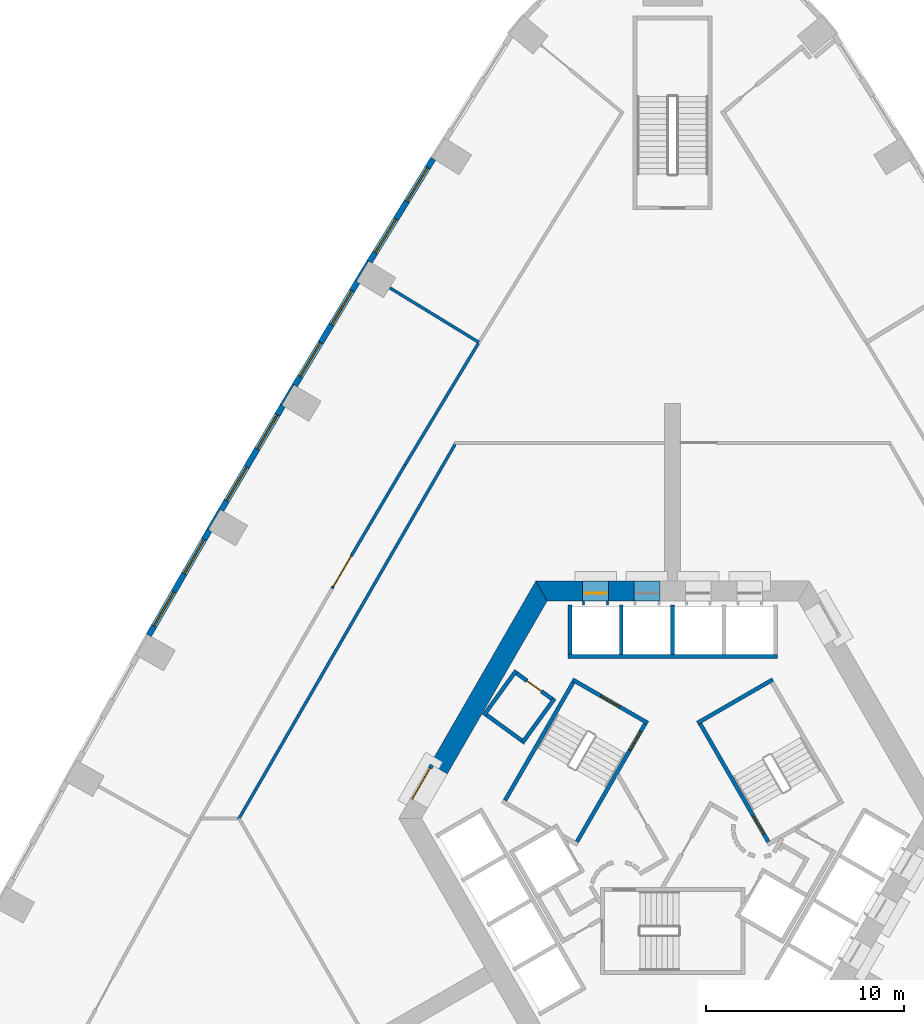
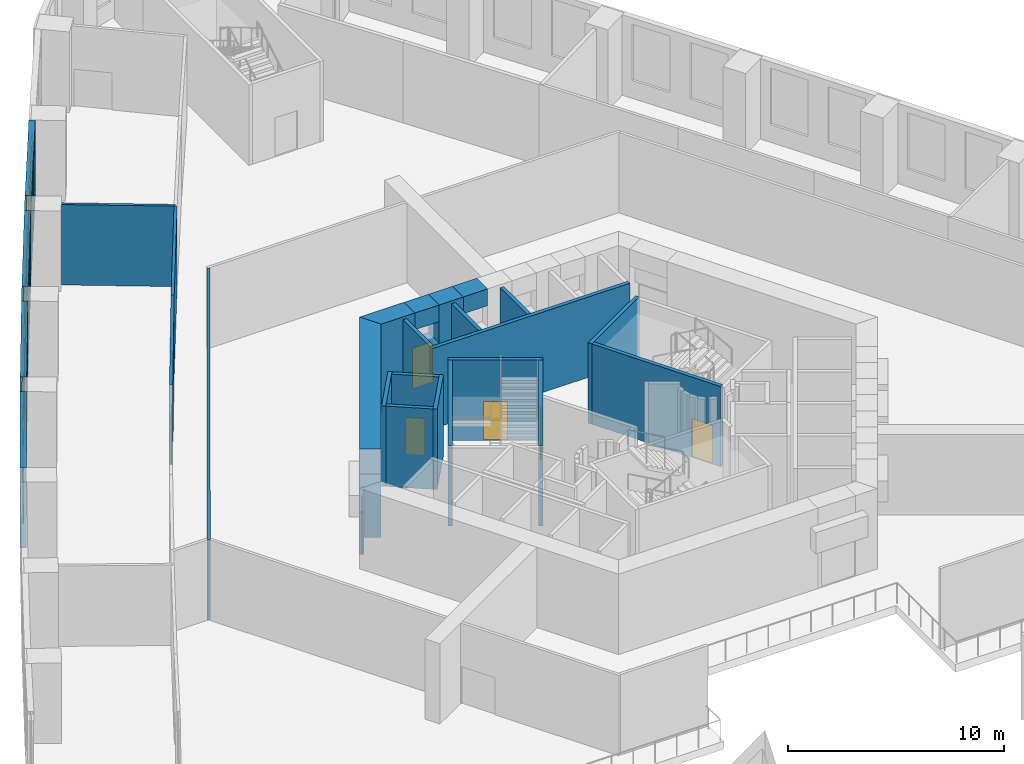
# One storey, part 5 of 16: 31 walls, 8 windows, 7 doors, 15 openings.
"""IFC4 building model written with IfcOpenShell, lengths in metres."""

from ifc_helpers import new_model, si_unit, direction, frame, frame_2d, origin, place, context, subcontext, project, spatial, polyline, rectangle, outline, extrude, material, layer, layer_set, type_object, element, fill, save


model = new_model("IFC4")

# Units and contexts
model_context = context("Model", 3, precision=1e-05, world=origin(), true_north=direction((0.0, 1.0)))
body_context = subcontext(model_context, "Body", "Model", "MODEL_VIEW")
ifc_project = project(units=[si_unit("LENGTHUNIT", "METRE"), si_unit("AREAUNIT", "SQUARE_METRE"), si_unit("VOLUMEUNIT", "CUBIC_METRE"), si_unit("PLANEANGLEUNIT", "RADIAN"), si_unit("MASSUNIT", "GRAM", prefix="KILO")], contexts=[model_context])

# Site, building, storey
site_placement = place(None, origin())
site = spatial("IfcSite", under=ifc_project, at=site_placement, CompositionType="ELEMENT")
building_placement = place(site_placement, origin())
building = spatial("IfcBuilding", under=site, at=building_placement, Name="Entoto Arch Interchange Tower", CompositionType="ELEMENT")
storey_placement = place(building_placement, frame((0.0, 0.0, 20.0)))
storey = spatial("IfcBuildingStorey", under=building, at=storey_placement, Name="L03", CompositionType="ELEMENT", Elevation=20.0)

# Wall, opening, door
ifc_material_1 = material(Name="Reinforced concrete C40/50", Category="concrete")
ifc_layer_1 = layer(ifc_material_1, 0.199951171875)
ifc_layer_set_1 = layer_set([ifc_layer_1], Name="Reinforced concrete C40/50")
wall_type_1 = type_object("IfcWallType", Name="CORE GAP INFILL WALL", PredefinedType="PARTITIONING", material=ifc_layer_set_1)
wall_1_placement = place(storey_placement, frame((-12.179931640625, 5.201904296875, 0.0), z_axis=(0.0, 0.0, 1.0), x_axis=(-0.50002537861, -0.866010750942, 0.0)))
wall_1 = element("IfcWall", 1, at=wall_1_placement, inside=storey, type_object=wall_type_1, Name="wall:L03:gap3", PredefinedType="PARTITIONING", context=body_context, shape_type="SweptSolid", body=[
    extrude(rectangle(XDim=2.0, YDim=0.199951171875, at=frame_2d((1.0, 0.0))), origin(), (0.0, 0.0, 1.0), 2.39990234375),
])
opening_1_placement = place(wall_1_placement, frame((0.18994140625, 0.0, 0.0)))
opening_1 = element("IfcOpeningElement", 2, at=opening_1_placement, cuts=wall_1, Name="Opening L03-D93", PredefinedType="OPENING", context=body_context, shape_type="SweptSolid", body=[
    extrude(rectangle(XDim=1.800048828125, YDim=2.10009765625, at=frame_2d((0.89990234375, 1.050048828125))), frame((0.0, 0.10986328125, 0.0), z_axis=(0.0, -1.0, 0.0), x_axis=(1.0, 0.0, 0.0)), (0.0, 0.0, 1.0), 0.219970703125),
])
ifc_material_2 = material(Name="Fire-rated Steel S235 door and frame", Category="steel")
door_type_1 = type_object("IfcDoorType", Name="DOOR FD-18 1800x2100", OperationType="DOUBLE_DOOR_SINGLE_SWING", PredefinedType="DOOR", material=ifc_material_2)
door_1_placement = place(opening_1_placement, origin())
door_1 = element("IfcDoor", 3, at=door_1_placement, inside=storey, type_object=door_type_1, Name="door:L03:gap3", OperationType="DOUBLE_DOOR_SINGLE_SWING", OverallHeight=2.10009765625, OverallWidth=1.800048828125, PredefinedType="DOOR", context=body_context, shape_type="SweptSolid", body=[
    extrude(rectangle(XDim=1.800048828125, YDim=2.10009765625, at=frame_2d((0.89990234375, 1.050048828125))), frame((0.0, 0.02490234375, 0.0), z_axis=(0.0, -1.0, 0.0), x_axis=(1.0, 0.0, 0.0)), (0.0, 0.0, 1.0), 0.050048828125),
])
fill(opening_1, door_1)

# Walls
ifc_material_3 = material(Name="Concrete C60/75", Category="concrete")
ifc_layer_2 = layer(ifc_material_3, 1.0)
ifc_layer_set_2 = layer_set([ifc_layer_2], Name="Concrete C60/75")
wall_type_2 = type_object("IfcWallType", Name="Core wall 1000 C60/75", PredefinedType="SHEAR", material=ifc_layer_set_2)
wall_2_placement = place(storey_placement, frame((0.0, 0.0, -0.449951171875)))
element("IfcWall", 4, at=wall_2_placement, inside=storey, type_object=wall_type_2, Name="Core wall N L03", PredefinedType="SHEAR", context=body_context, shape_type="SweptSolid", body=[
    extrude(outline(polyline([(-3.25, 14.5), (-3.25, 13.5), (-1.949951171875, 13.5), (-1.949951171875, 14.5), (-3.25, 14.5)])), origin(), (0.0, 0.0, 1.0), 5.0),
])
wall_3_placement = place(storey_placement, frame((0.0, 0.0, -0.449951171875)))
element("IfcWall", 5, at=wall_3_placement, inside=storey, type_object=wall_type_2, Name="Core wall N L03", PredefinedType="SHEAR", context=body_context, shape_type="SweptSolid", body=[
    extrude(outline(polyline([(-4.550048828125, 13.5), (-4.550048828125, 14.5), (-6.927978515625, 14.5), (-6.35107421875, 13.5), (-4.550048828125, 13.5)])), origin(), (0.0, 0.0, 1.0), 5.0),
])
wall_4_placement = place(storey_placement, frame((0.0, 0.0, 3.60009765625)))
element("IfcWall", 6, at=wall_4_placement, inside=storey, type_object=wall_type_2, Name="Core wall lintel N L03", PredefinedType="SHEAR", context=body_context, shape_type="SweptSolid", body=[
    extrude(outline(polyline([(-1.949951171875, 14.5), (-1.949951171875, 13.5), (-0.64990234375, 13.5), (-0.64990234375, 14.5), (-1.949951171875, 14.5)])), origin(), (0.0, 0.0, 1.0), 0.949951171875),
])
wall_5_placement = place(storey_placement, frame((0.0, 0.0, 3.60009765625)))
element("IfcWall", 7, at=wall_5_placement, inside=storey, type_object=wall_type_2, Name="Core wall lintel N L03", PredefinedType="SHEAR", context=body_context, shape_type="SweptSolid", body=[
    extrude(outline(polyline([(-4.550048828125, 14.5), (-4.550048828125, 13.5), (-3.25, 13.5), (-3.25, 14.5), (-4.550048828125, 14.5)])), origin(), (0.0, 0.0, 1.0), 0.949951171875),
])
wall_6_placement = place(storey_placement, frame((0.0, 0.0, -0.449951171875)))
element("IfcWall", 8, at=wall_6_placement, inside=storey, type_object=wall_type_2, Name="Core wall NW L03", PredefinedType="SHEAR", context=body_context, shape_type="SweptSolid", body=[
    extrude(outline(polyline([(-12.26708984375, 5.251953125), (-11.402099609375, 4.751953125), (-6.35107421875, 13.5), (-6.927978515625, 14.5), (-12.26708984375, 5.251953125)])), origin(), (0.0, 0.0, 1.0), 5.0),
])

# Wall, opening, door
ifc_material_4 = material(Name="Concrete C40/50", Category="concrete")
ifc_layer_3 = layer(ifc_material_4, 1.199951171875)
ifc_layer_set_3 = layer_set([ifc_layer_3], Name="Concrete C40/50")
wall_type_3 = type_object("IfcWallType", Name="LIFT LANDING INFILL WALL", PredefinedType="STANDARD", material=ifc_layer_set_3)
wall_7_placement = place(storey_placement, frame((-3.25, 13.89990234375, 0.0), z_axis=(0.0, 0.0, 1.0), x_axis=(-1.0, 0.0, 0.0)))
wall_7 = element("IfcWall", 9, at=wall_7_placement, inside=storey, type_object=wall_type_3, Name="Lift landing infill wall LR4 L03", PredefinedType="STANDARD", context=body_context, shape_type="SweptSolid", body=[
    extrude(rectangle(XDim=1.300048828125, YDim=1.199951171875, at=frame_2d((0.64990234375, 0.0))), origin(), (0.0, 0.0, 1.0), 2.39990234375),
])
opening_2_placement = place(wall_7_placement, frame((0.10009765625, 0.0, 0.0)))
opening_2 = element("IfcOpeningElement", 10, at=opening_2_placement, cuts=wall_7, Name="Opening LD-LR4-L03", PredefinedType="OPENING", context=body_context, shape_type="SweptSolid", body=[
    extrude(rectangle(XDim=1.10009765625, YDim=2.300048828125, at=frame_2d((0.550048828125, 1.14990234375))), frame((0.0, 0.60986328125, 0.0), z_axis=(0.0, -1.0, 0.0), x_axis=(1.0, 0.0, 0.0)), (0.0, 0.0, 1.0), 1.219970703125),
])
ifc_material_5 = material(Name="Stainless steel 1.4301 panels", Category="steel")
door_type_2 = type_object("IfcDoorType", Name="LIFT LANDING DOOR LD2 1100x2300", OperationType="SLIDING_TO_LEFT", PredefinedType="DOOR", material=ifc_material_5)
door_2_placement = place(opening_2_placement, origin())
door_2 = element("IfcDoor", 11, at=door_2_placement, inside=storey, type_object=door_type_2, Name="Lift landing door LR4 L03", OperationType="SLIDING_TO_LEFT", OverallHeight=2.300048828125, OverallWidth=1.10009765625, PredefinedType="DOOR", context=body_context, shape_type="SweptSolid", body=[
    extrude(rectangle(XDim=1.10009765625, YDim=2.300048828125, at=frame_2d((0.550048828125, 1.14990234375))), frame((0.0, 0.02490234375, 0.0), z_axis=(0.0, -1.0, 0.0), x_axis=(1.0, 0.0, 0.0)), (0.0, 0.0, 1.0), 0.050048828125),
])
fill(opening_2, door_2)

# Walls
ifc_layer_4 = layer(ifc_material_4, 0.199951171875)
ifc_layer_set_4 = layer_set([ifc_layer_4], Name="Concrete C40/50")
wall_type_4 = type_object("IfcWallType", Name="LIFT SHAFT WALL 200", PredefinedType="STANDARD", material=ifc_layer_set_4)
wall_8_placement = place(storey_placement, frame((5.300048828125, 10.699951171875, 0.0), z_axis=(0.0, 0.0, 1.0), x_axis=(-1.0, 0.0, 0.0)))
element("IfcWall", 12, at=wall_8_placement, inside=storey, type_object=wall_type_4, Name="Shaft wall N3 front", PredefinedType="STANDARD", context=body_context, shape_type="SweptSolid", body=[
    extrude(rectangle(XDim=10.60009765625, YDim=0.199951171875, at=frame_2d((5.300048828125, 0.0))), origin(), (0.0, 0.0, 1.0), 4.550048828125),
])
for number, where, z_axis, x_axis, name in (
    (13, (0.0, 10.800048828125, 0.0), (0.0, 0.0, 1.0), (0.0, 1.0, 0.0), "Shaft wall N3 cross 3"),
    (14, (-2.60009765625, 10.800048828125, 0.0), (0.0, 0.0, 1.0), (0.0, 1.0, 0.0), "Shaft wall N3 cross 4"),
    (15, (-5.199951171875, 10.800048828125, 0.0), (0.0, 0.0, 1.0), (0.0, 1.0, 0.0), "Shaft wall N3 cross 5"),
):
    element("IfcWall", number, at=place(storey_placement, frame(where, z_axis=z_axis, x_axis=x_axis)), inside=storey, type_object=wall_type_4, Name=name, PredefinedType="STANDARD", context=body_context, shape_type="SweptSolid", body=[
        extrude(rectangle(XDim=2.5, YDim=0.199951171875, at=frame_2d((1.25, 0.0))), origin(), (0.0, 0.0, 1.0), 4.550048828125),
    ])
ifc_material_6 = material(Name="Gypsum board partition on steel studs", Category="steel")
ifc_layer_5 = layer(ifc_material_6, 0.14990234375)
ifc_layer_set_5 = layer_set([ifc_layer_5], Name="Gypsum board partition on steel studs")
wall_type_5 = type_object("IfcWallType", Name="PARTITION 150", PredefinedType="PARTITIONING", material=ifc_layer_set_5)
wall_9_placement = place(storey_placement, frame((-9.801025390625, 26.5869140625, 0.0), z_axis=(0.0, 0.0, 1.0), x_axis=(-0.853133190526, 0.521693165781, 0.0)))
element("IfcWall", 16, at=wall_9_placement, inside=storey, type_object=wall_type_5, Name="wall:L03:p056", PredefinedType="PARTITIONING", context=body_context, shape_type="SweptSolid", body=[
    extrude(rectangle(XDim=5.279296875, YDim=0.14990234375, at=frame_2d((2.6396484375, 0.0))), origin(), (0.0, 0.0, 1.0), 4.550048828125),
])
wall_10_placement = place(storey_placement, frame((-9.8359375, 26.529052734375, 0.0), z_axis=(0.0, 0.0, 1.0), x_axis=(-0.516524835149, -0.856272208281, 0.0)))
element("IfcWall", 17, at=wall_10_placement, inside=storey, type_object=wall_type_5, Name="wall:L03:p061", PredefinedType="PARTITIONING", context=body_context, shape_type="SweptSolid", body=[
    extrude(rectangle(XDim=7.1787109375, YDim=0.14990234375, at=frame_2d((3.58935546875, 0.0))), origin(), (0.0, 0.0, 1.0), 4.550048828125),
])

# Wall, opening, door
wall_11_placement = place(storey_placement, frame((-13.5439453125, 20.382080078125, 0.0), z_axis=(0.0, 0.0, 1.0), x_axis=(-0.508434454558, -0.861100694122, 0.0)))
wall_11 = element("IfcWall", 18, at=wall_11_placement, inside=storey, type_object=wall_type_5, Name="wall:L03:p062", PredefinedType="PARTITIONING", context=body_context, shape_type="SweptSolid", body=[
    extrude(rectangle(XDim=7.253662109375, YDim=0.14990234375, at=frame_2d((3.626953125, 0.0))), origin(), (0.0, 0.0, 1.0), 4.550048828125),
])
opening_3_placement = place(wall_11_placement, frame((5.35400390625, 0.0, 0.0)))
opening_3 = element("IfcOpeningElement", 19, at=opening_3_placement, cuts=wall_11, Name="Opening L03-D10", PredefinedType="OPENING", context=body_context, shape_type="SweptSolid", body=[
    extrude(rectangle(XDim=1.800048828125, YDim=2.10009765625, at=frame_2d((0.89990234375, 1.050048828125))), frame((0.0, 0.0849609375, 0.0), z_axis=(0.0, -1.0, 0.0), x_axis=(1.0, 0.0, 0.0)), (0.0, 0.0, 1.0), 0.169921875),
])
ifc_material_7 = material(Name="Timber door leaf in Steel S235 frame", Category="steel")
door_type_3 = type_object("IfcDoorType", Name="DOOR DD-18 1800x2100", OperationType="DOUBLE_DOOR_SINGLE_SWING", PredefinedType="DOOR", material=ifc_material_7)
door_3_placement = place(opening_3_placement, origin())
door_3 = element("IfcDoor", 20, at=door_3_placement, inside=storey, type_object=door_type_3, Name="door:L03:10", OperationType="DOUBLE_DOOR_SINGLE_SWING", OverallHeight=2.10009765625, OverallWidth=1.800048828125, PredefinedType="DOOR", context=body_context, shape_type="SweptSolid", body=[
    extrude(rectangle(XDim=1.800048828125, YDim=2.10009765625, at=frame_2d((0.89990234375, 1.050048828125))), frame((0.0, 0.02490234375, 0.0), z_axis=(0.0, -1.0, 0.0), x_axis=(1.0, 0.0, 0.0)), (0.0, 0.0, 1.0), 0.050048828125),
])
fill(opening_3, door_3)

# Walls
wall_12_placement = place(storey_placement, frame((-21.97607421875, 2.43505859375, 0.0), z_axis=(0.0, 0.0, 1.0), x_axis=(0.499977403953, 0.866038449225, 0.0)))
element("IfcWall", 21, at=wall_12_placement, inside=storey, type_object=wall_type_5, Name="wall:L03:p073", PredefinedType="PARTITIONING", context=body_context, shape_type="SweptSolid", body=[
    extrude(rectangle(XDim=21.93896484375, YDim=0.14990234375, at=frame_2d((10.969482421875, 0.0))), origin(), (0.0, 0.0, 1.0), 4.550048828125),
])
ifc_layer_6 = layer(ifc_material_6, 0.199951171875)
ifc_layer_set_6 = layer_set([ifc_layer_6], Name="Gypsum board partition on steel studs")
wall_type_6 = type_object("IfcWallType", Name="PARTITION 200", PredefinedType="PARTITIONING", material=ifc_layer_set_6)
wall_13_placement = place(storey_placement, frame((-7.9150390625, 9.98095703125, 0.0), z_axis=(0.0, 0.0, 1.0), x_axis=(-0.587497525331, -0.809225962096, 0.0)))
element("IfcWall", 22, at=wall_13_placement, inside=storey, type_object=wall_type_6, Name="wall:L03:p012", PredefinedType="PARTITIONING", context=body_context, shape_type="SweptSolid", body=[
    extrude(rectangle(XDim=2.800048828125, YDim=0.199951171875, at=frame_2d((1.39990234375, 0.0))), origin(), (0.0, 0.0, 1.0), 4.550048828125),
])
wall_14_placement = place(storey_placement, frame((-9.4208984375, 7.738037109375, 0.0), z_axis=(0.0, 0.0, 1.0), x_axis=(0.808832031072, -0.588039748242, 0.0)))
element("IfcWall", 23, at=wall_14_placement, inside=storey, type_object=wall_type_6, Name="wall:L03:p013", PredefinedType="PARTITIONING", context=body_context, shape_type="SweptSolid", body=[
    extrude(rectangle(XDim=2.200439453125, YDim=0.199951171875, at=frame_2d((1.10009765625, 0.0))), origin(), (0.0, 0.0, 1.0), 4.550048828125),
])
wall_15_placement = place(storey_placement, frame((-7.618896484375, 6.304931640625, 0.0), z_axis=(0.0, 0.0, 1.0), x_axis=(0.58785021813, 0.808969789945, 0.0)))
element("IfcWall", 24, at=wall_15_placement, inside=storey, type_object=wall_type_6, Name="wall:L03:p014", PredefinedType="PARTITIONING", context=body_context, shape_type="SweptSolid", body=[
    extrude(rectangle(XDim=2.800048828125, YDim=0.199951171875, at=frame_2d((1.39990234375, 0.0))), origin(), (0.0, 0.0, 1.0), 4.550048828125),
])

# Wall, opening, door
wall_16_placement = place(storey_placement, frame((-6.113037109375, 8.548095703125, 0.0), z_axis=(0.0, 0.0, 1.0), x_axis=(-0.808928058073, 0.587907643139, 0.0)))
wall_16 = element("IfcWall", 25, at=wall_16_placement, inside=storey, type_object=wall_type_6, Name="wall:L03:p015", PredefinedType="PARTITIONING", context=body_context, shape_type="SweptSolid", body=[
    extrude(rectangle(XDim=2.19921875, YDim=0.199951171875, at=frame_2d((1.099609375, 0.0))), origin(), (0.0, 0.0, 1.0), 4.550048828125),
])
opening_4_placement = place(wall_16_placement, frame((0.64990234375, 0.0, 0.0)))
opening_4 = element("IfcOpeningElement", 26, at=opening_4_placement, cuts=wall_16, Name="Opening L03-D16", PredefinedType="OPENING", context=body_context, shape_type="SweptSolid", body=[
    extrude(rectangle(XDim=0.89990234375, YDim=2.10009765625, at=frame_2d((0.449951171875, 1.050048828125))), frame((0.0, 0.10986328125, 0.0), z_axis=(0.0, -1.0, 0.0), x_axis=(1.0, 0.0, 0.0)), (0.0, 0.0, 1.0), 0.219970703125),
])
door_type_4 = type_object("IfcDoorType", Name="DOOR DS-09 900x2100", OperationType="SINGLE_SWING_LEFT", PredefinedType="DOOR", material=ifc_material_7)
door_4_placement = place(opening_4_placement, origin())
door_4 = element("IfcDoor", 27, at=door_4_placement, inside=storey, type_object=door_type_4, Name="door:L03:16", OperationType="SINGLE_SWING_LEFT", OverallHeight=2.10009765625, OverallWidth=0.89990234375, PredefinedType="DOOR", context=body_context, shape_type="SweptSolid", body=[
    extrude(rectangle(XDim=0.89990234375, YDim=2.10009765625, at=frame_2d((0.449951171875, 1.050048828125))), frame((0.0, 0.02490234375, 0.0), z_axis=(0.0, -1.0, 0.0), x_axis=(1.0, 0.0, 0.0)), (0.0, 0.0, 1.0), 0.050048828125),
])
fill(opening_4, door_4)

# Wall
ifc_layer_7 = layer(ifc_material_4, 0.199951171875)
ifc_layer_set_7 = layer_set([ifc_layer_7], Name="Concrete C40/50")
wall_type_7 = type_object("IfcWallType", Name="STAIR ENCLOSURE WALL 200", PredefinedType="STANDARD", material=ifc_layer_set_7)
wall_17_placement = place(storey_placement, frame((1.256103515625, 7.323974609375, 0.0), z_axis=(0.0, 0.0, 1.0), x_axis=(0.866046073146, 0.499964197906, 0.0)))
element("IfcWall", 28, at=wall_17_placement, inside=storey, type_object=wall_type_7, Name="Stair wall ST-NE far", PredefinedType="STANDARD", context=body_context, shape_type="SweptSolid", body=[
    extrude(rectangle(XDim=4.400146484375, YDim=0.199951171875, at=frame_2d((2.2001953125, 0.0))), origin(), (0.0, 0.0, 1.0), 4.550048828125),
])

# Wall, opening, door
wall_18_placement = place(storey_placement, frame((4.843017578125, 1.31201171875, 0.0), z_axis=(0.0, 0.0, 1.0), x_axis=(-0.499963383562, 0.866046543262, 0.0)))
wall_18 = element("IfcWall", 29, at=wall_18_placement, inside=storey, type_object=wall_type_7, Name="Stair wall ST-NE hall", PredefinedType="STANDARD", context=body_context, shape_type="SweptSolid", body=[
    extrude(rectangle(XDim=6.900390625, YDim=0.199951171875, at=frame_2d((3.4501953125, 0.0))), origin(), (0.0, 0.0, 1.0), 4.550048828125),
])
opening_5_placement = place(wall_18_placement, frame((0.449951171875, 0.0, 0.0)))
opening_5 = element("IfcOpeningElement", 30, at=opening_5_placement, cuts=wall_18, Name="Opening SD-ST-NE-L03", PredefinedType="OPENING", context=body_context, shape_type="SweptSolid", body=[
    extrude(rectangle(XDim=1.10009765625, YDim=2.199951171875, at=frame_2d((0.550048828125, 1.10009765625))), frame((0.0, 0.10986328125, 0.0), z_axis=(0.0, -1.0, 0.0), x_axis=(1.0, 0.0, 0.0)), (0.0, 0.0, 1.0), 0.219970703125),
])
ifc_material_8 = material(Name="Steel S235", Category="steel")
door_type_5 = type_object("IfcDoorType", Name="STAIR DOOR SD1 1100x2200", OperationType="SINGLE_SWING_LEFT", PredefinedType="DOOR", material=ifc_material_8)
door_5_placement = place(opening_5_placement, origin())
door_5 = element("IfcDoor", 31, at=door_5_placement, inside=storey, type_object=door_type_5, Name="Stair door ST-NE L03", OperationType="SINGLE_SWING_LEFT", OverallHeight=2.199951171875, OverallWidth=1.10009765625, PredefinedType="DOOR", context=body_context, shape_type="SweptSolid", body=[
    extrude(rectangle(XDim=1.10009765625, YDim=2.199951171875, at=frame_2d((0.550048828125, 1.10009765625))), frame((0.0, 0.02490234375, 0.0), z_axis=(0.0, -1.0, 0.0), x_axis=(1.0, 0.0, 0.0)), (0.0, 0.0, 1.0), 0.050048828125),
])
fill(opening_5, door_5)

wall_19_placement = place(storey_placement, frame((-1.256103515625, 7.323974609375, 0.0), z_axis=(0.0, 0.0, 1.0), x_axis=(-0.866046073146, 0.499964197906, 0.0)))
wall_19 = element("IfcWall", 32, at=wall_19_placement, inside=storey, type_object=wall_type_7, Name="Stair wall ST-NW near", PredefinedType="STANDARD", context=body_context, shape_type="SweptSolid", body=[
    extrude(rectangle(XDim=4.400146484375, YDim=0.199951171875, at=frame_2d((2.2001953125, 0.0))), origin(), (0.0, 0.0, 1.0), 4.550048828125),
])
opening_6_placement = place(wall_19_placement, frame((1.64990234375, 0.0, 0.0)))
opening_6 = element("IfcOpeningElement", 33, at=opening_6_placement, cuts=wall_19, Name="Opening SD-ST-NW-L03-E", PredefinedType="OPENING", context=body_context, shape_type="SweptSolid", body=[
    extrude(rectangle(XDim=1.10009765625, YDim=2.199951171875, at=frame_2d((0.550048828125, 1.10009765625))), frame((0.0, 0.10986328125, 0.0), z_axis=(0.0, -1.0, 0.0), x_axis=(1.0, 0.0, 0.0)), (0.0, 0.0, 1.0), 0.219970703125),
])
door_6_placement = place(opening_6_placement, origin())
door_6 = element("IfcDoor", 34, at=door_6_placement, inside=storey, type_object=door_type_5, Name="Stair door ST-NW L03 end", OperationType="SINGLE_SWING_LEFT", OverallHeight=2.199951171875, OverallWidth=1.10009765625, PredefinedType="DOOR", context=body_context, shape_type="SweptSolid", body=[
    extrude(rectangle(XDim=1.10009765625, YDim=2.199951171875, at=frame_2d((0.550048828125, 1.10009765625))), frame((0.0, 0.02490234375, 0.0), z_axis=(0.0, -1.0, 0.0), x_axis=(1.0, 0.0, 0.0)), (0.0, 0.0, 1.0), 0.050048828125),
])
fill(opening_6, door_6)

wall_20_placement = place(storey_placement, frame((-1.39306640625, 7.2880859375, 0.0), z_axis=(0.0, 0.0, 1.0), x_axis=(-0.499963383562, -0.866046543262, 0.0)))
wall_20 = element("IfcWall", 35, at=wall_20_placement, inside=storey, type_object=wall_type_7, Name="Stair wall ST-NW hall", PredefinedType="STANDARD", context=body_context, shape_type="SweptSolid", body=[
    extrude(rectangle(XDim=6.900390625, YDim=0.199951171875, at=frame_2d((3.4501953125, 0.0))), origin(), (0.0, 0.0, 1.0), 4.550048828125),
])
opening_7_placement = place(wall_20_placement, frame((0.449951171875, 0.0, 0.0)))
opening_7 = element("IfcOpeningElement", 36, at=opening_7_placement, cuts=wall_20, Name="Opening SD-ST-NW-L03", PredefinedType="OPENING", context=body_context, shape_type="SweptSolid", body=[
    extrude(rectangle(XDim=1.10009765625, YDim=2.199951171875, at=frame_2d((0.550048828125, 1.10009765625))), frame((0.0, 0.10986328125, 0.0), z_axis=(0.0, -1.0, 0.0), x_axis=(1.0, 0.0, 0.0)), (0.0, 0.0, 1.0), 0.219970703125),
])
door_7_placement = place(opening_7_placement, origin())
door_7 = element("IfcDoor", 37, at=door_7_placement, inside=storey, type_object=door_type_5, Name="Stair door ST-NW L03", OperationType="SINGLE_SWING_LEFT", OverallHeight=2.199951171875, OverallWidth=1.10009765625, PredefinedType="DOOR", context=body_context, shape_type="SweptSolid", body=[
    extrude(rectangle(XDim=1.10009765625, YDim=2.199951171875, at=frame_2d((0.550048828125, 1.10009765625))), frame((0.0, 0.02490234375, 0.0), z_axis=(0.0, -1.0, 0.0), x_axis=(1.0, 0.0, 0.0)), (0.0, 0.0, 1.0), 0.050048828125),
])
fill(opening_7, door_7)

# Wall
wall_21_placement = place(storey_placement, frame((-5.030029296875, 9.387939453125, 0.0), z_axis=(0.0, 0.0, 1.0), x_axis=(-0.499978703459, -0.866037698999, 0.0)))
element("IfcWall", 38, at=wall_21_placement, inside=storey, type_object=wall_type_7, Name="Stair wall ST-NW back", PredefinedType="STANDARD", context=body_context, shape_type="SweptSolid", body=[
    extrude(rectangle(XDim=6.900146484375, YDim=0.199951171875, at=frame_2d((3.4501953125, 0.0))), origin(), (0.0, 0.0, 1.0), 4.550048828125),
])

# Wall, openings, windows
ifc_material_9 = material(Name="Welded tuff (ignimbrite) cladding, warm buff", Category="masonry")
ifc_layer_8 = layer(ifc_material_9, 0.300048828125)
ifc_layer_set_8 = layer_set([ifc_layer_8], Name="Welded tuff (ignimbrite) cladding, warm buff")
wall_type_8 = type_object("IfcWallType", Name="STONE INFILL WALL 300", PredefinedType="STANDARD", material=ifc_layer_set_8)
wall_22_placement = place(storey_placement, frame((-12.116943359375, 35.881103515625, 0.0), z_axis=(0.0, 0.0, 1.0), x_axis=(-0.524953701886, -0.85113078365, 0.0)))
wall_22 = element("IfcWall", 39, at=wall_22_placement, inside=storey, type_object=wall_type_8, Name="Facade wall NW-02 L03", PredefinedType="STANDARD", context=body_context, shape_type="SweptSolid", body=[
    extrude(rectangle(XDim=6.12255859375, YDim=0.300048828125, at=frame_2d((3.061279296875, 0.0))), origin(), (0.0, 0.0, 1.0), 4.550048828125),
])
opening_8_placement = place(wall_22_placement, frame((0.531005859375, 0.0, 1.0)))
opening_8 = element("IfcOpeningElement", 40, at=opening_8_placement, cuts=wall_22, Name="Opening WP-E", PredefinedType="OPENING", context=body_context, shape_type="SweptSolid", body=[
    extrude(rectangle(XDim=2.0, YDim=3.199951171875, at=frame_2d((1.0, 1.60009765625))), frame((0.0, 0.16015625, 0.0), z_axis=(0.0, -1.0, 0.0), x_axis=(1.0, 0.0, 0.0)), (0.0, 0.0, 1.0), 0.320068359375),
])
opening_9_placement = place(wall_22_placement, frame((3.592041015625, 0.0, 1.0)))
opening_9 = element("IfcOpeningElement", 41, at=opening_9_placement, cuts=wall_22, Name="Opening WP-E", PredefinedType="OPENING", context=body_context, shape_type="SweptSolid", body=[
    extrude(rectangle(XDim=2.0, YDim=3.199951171875, at=frame_2d((1.0, 1.60009765625))), frame((0.0, 0.16015625, 0.0), z_axis=(0.0, -1.0, 0.0), x_axis=(1.0, 0.0, 0.0)), (0.0, 0.0, 1.0), 0.320068359375),
])
ifc_material_10 = material(Name="Clear glass, low-e double glazed", Category="glass")
window_type = type_object("IfcWindowType", Name="WINDOW WP-E 2000x3200", PartitioningType="DOUBLE_PANEL_VERTICAL", PredefinedType="WINDOW", material=ifc_material_10)
window_1_placement = place(opening_8_placement, origin())
window_1 = element("IfcWindow", 42, at=window_1_placement, inside=storey, type_object=window_type, Name="Window WP-E NW-02 L03", OverallHeight=3.199951171875, OverallWidth=2.0, PartitioningType="SINGLE_PANEL", PredefinedType="WINDOW", context=body_context, shape_type="SweptSolid", body=[
    extrude(rectangle(XDim=2.0, YDim=3.199951171875, at=frame_2d((1.0, 1.60009765625))), frame((0.0, 0.030029296875, 0.0), z_axis=(0.0, -1.0, 0.0), x_axis=(1.0, 0.0, 0.0)), (0.0, 0.0, 1.0), 0.06005859375),
])
fill(opening_8, window_1)
window_2_placement = place(opening_9_placement, origin())
window_2 = element("IfcWindow", 43, at=window_2_placement, inside=storey, type_object=window_type, Name="Window WP-E NW-02 L03", OverallHeight=3.199951171875, OverallWidth=2.0, PartitioningType="SINGLE_PANEL", PredefinedType="WINDOW", context=body_context, shape_type="SweptSolid", body=[
    extrude(rectangle(XDim=2.0, YDim=3.199951171875, at=frame_2d((1.0, 1.60009765625))), frame((0.0, 0.030029296875, 0.0), z_axis=(0.0, -1.0, 0.0), x_axis=(1.0, 0.0, 0.0)), (0.0, 0.0, 1.0), 0.06005859375),
])
fill(opening_9, window_2)

wall_23_placement = place(storey_placement, frame((-15.9541015625, 29.64697265625, 0.0), z_axis=(0.0, 0.0, 1.0), x_axis=(-0.516687651362, -0.85617397235, 0.0)))
wall_23 = element("IfcWall", 44, at=wall_23_placement, inside=storey, type_object=wall_type_8, Name="Facade wall NW-03 L03", PredefinedType="STANDARD", context=body_context, shape_type="SweptSolid", body=[
    extrude(rectangle(XDim=6.121337890625, YDim=0.300048828125, at=frame_2d((3.060546875, 0.0))), origin(), (0.0, 0.0, 1.0), 4.550048828125),
])
opening_10_placement = place(wall_23_placement, frame((0.530029296875, 0.0, 1.0)))
opening_10 = element("IfcOpeningElement", 45, at=opening_10_placement, cuts=wall_23, Name="Opening WP-E", PredefinedType="OPENING", context=body_context, shape_type="SweptSolid", body=[
    extrude(rectangle(XDim=2.0, YDim=3.199951171875, at=frame_2d((1.0, 1.60009765625))), frame((0.0, 0.16015625, 0.0), z_axis=(0.0, -1.0, 0.0), x_axis=(1.0, 0.0, 0.0)), (0.0, 0.0, 1.0), 0.320068359375),
])
opening_11_placement = place(wall_23_placement, frame((3.591064453125, 0.0, 1.0)))
opening_11 = element("IfcOpeningElement", 46, at=opening_11_placement, cuts=wall_23, Name="Opening WP-E", PredefinedType="OPENING", context=body_context, shape_type="SweptSolid", body=[
    extrude(rectangle(XDim=2.0, YDim=3.199951171875, at=frame_2d((1.0, 1.60009765625))), frame((0.0, 0.16015625, 0.0), z_axis=(0.0, -1.0, 0.0), x_axis=(1.0, 0.0, 0.0)), (0.0, 0.0, 1.0), 0.320068359375),
])
window_3_placement = place(opening_10_placement, origin())
window_3 = element("IfcWindow", 47, at=window_3_placement, inside=storey, type_object=window_type, Name="Window WP-E NW-03 L03", OverallHeight=3.199951171875, OverallWidth=2.0, PartitioningType="SINGLE_PANEL", PredefinedType="WINDOW", context=body_context, shape_type="SweptSolid", body=[
    extrude(rectangle(XDim=2.0, YDim=3.199951171875, at=frame_2d((1.0, 1.60009765625))), frame((0.0, 0.030029296875, 0.0), z_axis=(0.0, -1.0, 0.0), x_axis=(1.0, 0.0, 0.0)), (0.0, 0.0, 1.0), 0.06005859375),
])
fill(opening_10, window_3)
window_4_placement = place(opening_11_placement, origin())
window_4 = element("IfcWindow", 48, at=window_4_placement, inside=storey, type_object=window_type, Name="Window WP-E NW-03 L03", OverallHeight=3.199951171875, OverallWidth=2.0, PartitioningType="SINGLE_PANEL", PredefinedType="WINDOW", context=body_context, shape_type="SweptSolid", body=[
    extrude(rectangle(XDim=2.0, YDim=3.199951171875, at=frame_2d((1.0, 1.60009765625))), frame((0.0, 0.030029296875, 0.0), z_axis=(0.0, -1.0, 0.0), x_axis=(1.0, 0.0, 0.0)), (0.0, 0.0, 1.0), 0.06005859375),
])
fill(opening_11, window_4)

wall_24_placement = place(storey_placement, frame((-19.73095703125, 23.376953125, 0.0), z_axis=(0.0, 0.0, 1.0), x_axis=(-0.50834231483, -0.861155091115, 0.0)))
wall_24 = element("IfcWall", 49, at=wall_24_placement, inside=storey, type_object=wall_type_8, Name="Facade wall NW-04 L03", PredefinedType="STANDARD", context=body_context, shape_type="SweptSolid", body=[
    extrude(rectangle(XDim=6.1220703125, YDim=0.300048828125, at=frame_2d((3.06103515625, 0.0))), origin(), (0.0, 0.0, 1.0), 4.550048828125),
])
opening_12_placement = place(wall_24_placement, frame((0.530029296875, 0.0, 1.0)))
opening_12 = element("IfcOpeningElement", 50, at=opening_12_placement, cuts=wall_24, Name="Opening WP-E", PredefinedType="OPENING", context=body_context, shape_type="SweptSolid", body=[
    extrude(rectangle(XDim=2.0, YDim=3.199951171875, at=frame_2d((1.0, 1.60009765625))), frame((0.0, 0.16015625, 0.0), z_axis=(0.0, -1.0, 0.0), x_axis=(1.0, 0.0, 0.0)), (0.0, 0.0, 1.0), 0.320068359375),
])
opening_13_placement = place(wall_24_placement, frame((3.591064453125, 0.0, 1.0)))
opening_13 = element("IfcOpeningElement", 51, at=opening_13_placement, cuts=wall_24, Name="Opening WP-E", PredefinedType="OPENING", context=body_context, shape_type="SweptSolid", body=[
    extrude(rectangle(XDim=2.0, YDim=3.199951171875, at=frame_2d((1.0, 1.60009765625))), frame((0.0, 0.16015625, 0.0), z_axis=(0.0, -1.0, 0.0), x_axis=(1.0, 0.0, 0.0)), (0.0, 0.0, 1.0), 0.320068359375),
])
window_5_placement = place(opening_12_placement, origin())
window_5 = element("IfcWindow", 52, at=window_5_placement, inside=storey, type_object=window_type, Name="Window WP-E NW-04 L03", OverallHeight=3.199951171875, OverallWidth=2.0, PartitioningType="SINGLE_PANEL", PredefinedType="WINDOW", context=body_context, shape_type="SweptSolid", body=[
    extrude(rectangle(XDim=2.0, YDim=3.199951171875, at=frame_2d((1.0, 1.60009765625))), frame((0.0, 0.030029296875, 0.0), z_axis=(0.0, -1.0, 0.0), x_axis=(1.0, 0.0, 0.0)), (0.0, 0.0, 1.0), 0.06005859375),
])
fill(opening_12, window_5)
window_6_placement = place(opening_13_placement, origin())
window_6 = element("IfcWindow", 53, at=window_6_placement, inside=storey, type_object=window_type, Name="Window WP-E NW-04 L03", OverallHeight=3.199951171875, OverallWidth=2.0, PartitioningType="SINGLE_PANEL", PredefinedType="WINDOW", context=body_context, shape_type="SweptSolid", body=[
    extrude(rectangle(XDim=2.0, YDim=3.199951171875, at=frame_2d((1.0, 1.60009765625))), frame((0.0, 0.030029296875, 0.0), z_axis=(0.0, -1.0, 0.0), x_axis=(1.0, 0.0, 0.0)), (0.0, 0.0, 1.0), 0.06005859375),
])
fill(opening_13, window_6)

wall_25_placement = place(storey_placement, frame((-23.447021484375, 17.071044921875, 0.0), z_axis=(0.0, 0.0, 1.0), x_axis=(-0.499939977436, -0.866060055055, 0.0)))
wall_25 = element("IfcWall", 54, at=wall_25_placement, inside=storey, type_object=wall_type_8, Name="Facade wall NW-05 L03", PredefinedType="STANDARD", context=body_context, shape_type="SweptSolid", body=[
    extrude(rectangle(XDim=6.120849609375, YDim=0.300048828125, at=frame_2d((3.060546875, 0.0))), origin(), (0.0, 0.0, 1.0), 4.550048828125),
])
opening_14_placement = place(wall_25_placement, frame((0.530029296875, 0.0, 1.0)))
opening_14 = element("IfcOpeningElement", 55, at=opening_14_placement, cuts=wall_25, Name="Opening WP-E", PredefinedType="OPENING", context=body_context, shape_type="SweptSolid", body=[
    extrude(rectangle(XDim=2.0, YDim=3.199951171875, at=frame_2d((1.0, 1.60009765625))), frame((0.0, 0.16015625, 0.0), z_axis=(0.0, -1.0, 0.0), x_axis=(1.0, 0.0, 0.0)), (0.0, 0.0, 1.0), 0.320068359375),
])
opening_15_placement = place(wall_25_placement, frame((3.591064453125, 0.0, 1.0)))
opening_15 = element("IfcOpeningElement", 56, at=opening_15_placement, cuts=wall_25, Name="Opening WP-E", PredefinedType="OPENING", context=body_context, shape_type="SweptSolid", body=[
    extrude(rectangle(XDim=2.0, YDim=3.199951171875, at=frame_2d((1.0, 1.60009765625))), frame((0.0, 0.16015625, 0.0), z_axis=(0.0, -1.0, 0.0), x_axis=(1.0, 0.0, 0.0)), (0.0, 0.0, 1.0), 0.320068359375),
])
window_7_placement = place(opening_14_placement, origin())
window_7 = element("IfcWindow", 57, at=window_7_placement, inside=storey, type_object=window_type, Name="Window WP-E NW-05 L03", OverallHeight=3.199951171875, OverallWidth=2.0, PartitioningType="SINGLE_PANEL", PredefinedType="WINDOW", context=body_context, shape_type="SweptSolid", body=[
    extrude(rectangle(XDim=2.0, YDim=3.199951171875, at=frame_2d((1.0, 1.60009765625))), frame((0.0, 0.030029296875, 0.0), z_axis=(0.0, -1.0, 0.0), x_axis=(1.0, 0.0, 0.0)), (0.0, 0.0, 1.0), 0.06005859375),
])
fill(opening_14, window_7)
window_8_placement = place(opening_15_placement, origin())
window_8 = element("IfcWindow", 58, at=window_8_placement, inside=storey, type_object=window_type, Name="Window WP-E NW-05 L03", OverallHeight=3.199951171875, OverallWidth=2.0, PartitioningType="SINGLE_PANEL", PredefinedType="WINDOW", context=body_context, shape_type="SweptSolid", body=[
    extrude(rectangle(XDim=2.0, YDim=3.199951171875, at=frame_2d((1.0, 1.60009765625))), frame((0.0, 0.030029296875, 0.0), z_axis=(0.0, -1.0, 0.0), x_axis=(1.0, 0.0, 0.0)), (0.0, 0.0, 1.0), 0.06005859375),
])
fill(opening_15, window_8)

# Walls
ifc_layer_9 = layer(ifc_material_9, 0.10009765625)
ifc_layer_set_9 = layer_set([ifc_layer_9], Name="Welded tuff (ignimbrite) cladding, warm buff")
wall_type_9 = type_object("IfcWallType", Name="STONE PIER CLADDING 100", PredefinedType="STANDARD", material=ifc_layer_set_9)
wall_26_placement = place(storey_placement, frame((-15.4169921875, 30.72412109375, 0.0), z_axis=(0.0, 0.0, 1.0), x_axis=(-0.521507599072, -0.853246637327, 0.0)))
element("IfcWall", 59, at=wall_26_placement, inside=storey, type_object=wall_type_9, Name="Stone pier NW03 L03", PredefinedType="STANDARD", context=body_context, shape_type="SweptSolid", body=[
    extrude(rectangle(XDim=1.200439453125, YDim=0.10009765625, at=frame_2d((0.60009765625, 0.0))), origin(), (0.0, 0.0, 1.0), 4.550048828125),
])
wall_27_placement = place(storey_placement, frame((-19.2041015625, 24.458984375, 0.0), z_axis=(0.0, 0.0, 1.0), x_axis=(-0.513238760752, -0.858245870635, 0.0)))
element("IfcWall", 60, at=wall_27_placement, inside=storey, type_object=wall_type_9, Name="Stone pier NW04 L03", PredefinedType="STANDARD", context=body_context, shape_type="SweptSolid", body=[
    extrude(rectangle(XDim=1.2001953125, YDim=0.10009765625, at=frame_2d((0.60009765625, 0.0))), origin(), (0.0, 0.0, 1.0), 4.550048828125),
])
wall_28_placement = place(storey_placement, frame((-22.930908203125, 18.157958984375, 0.0), z_axis=(0.0, 0.0, 1.0), x_axis=(-0.504313844903, -0.863520437418, 0.0)))
element("IfcWall", 61, at=wall_28_placement, inside=storey, type_object=wall_type_9, Name="Stone pier NW05 L03", PredefinedType="STANDARD", context=body_context, shape_type="SweptSolid", body=[
    extrude(rectangle(XDim=1.19970703125, YDim=0.10009765625, at=frame_2d((0.599853515625, 0.0))), origin(), (0.0, 0.0, 1.0), 4.550048828125),
])

save(model, "model.ifc")
